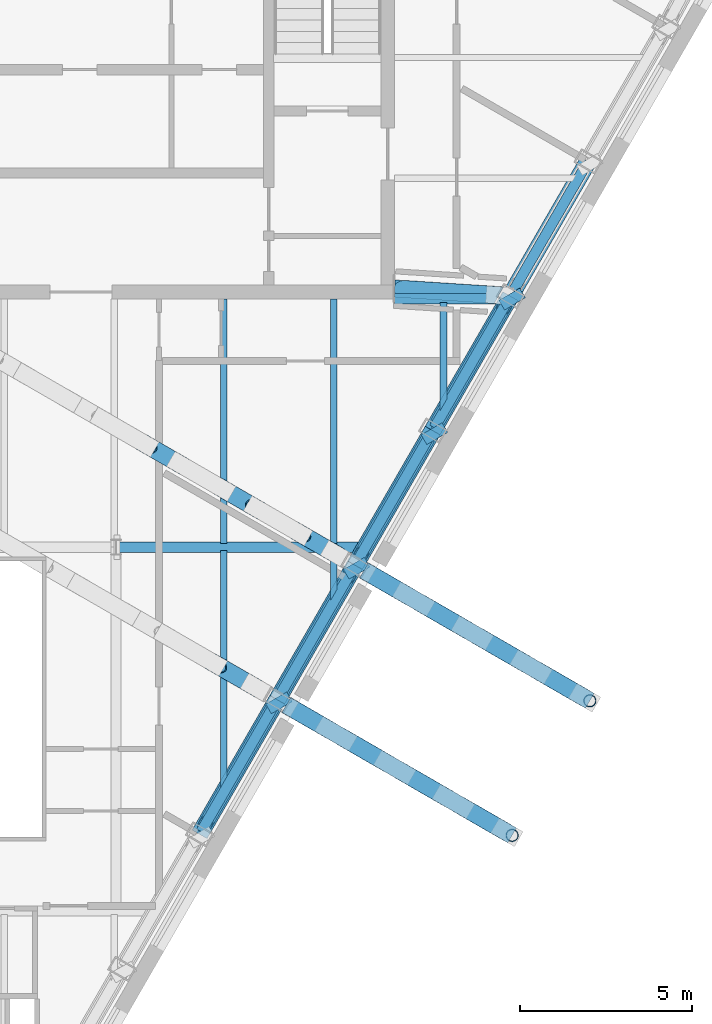
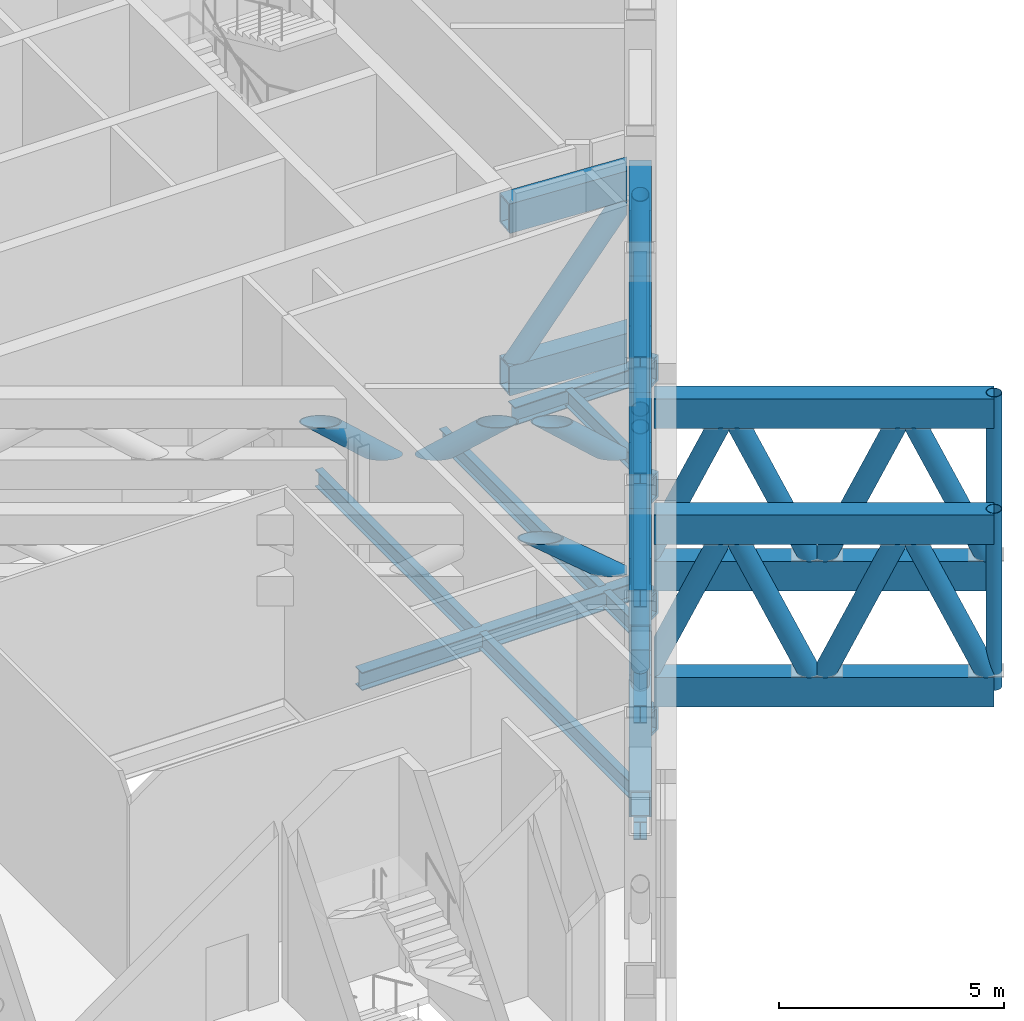
# One storey, part 4 of 14: 34 members, 16 beams.
"""IFC4 building model written with IfcOpenShell, lengths in metres."""

import ifcopenshell
import ifcopenshell.guid

model = None  # the IFC model being written
_history = None  # IfcOwnerHistory: only IFC2X3 demands one
_inside = {}  # id of a spatial element -> (the spatial element, [elements in it])
_under = {}  # id of a project, library or spatial element -> (it, [spatial elements below it])
_declared = {}  # id of a project -> (the project, [libraries it declares])
_typed = {}  # id of a type object -> (the type object, [elements of that type])
_made_of = {}  # id of a material, layer set ... -> (it, [elements and type objects made of it])


def new_model(schema):
    """Start an empty IFC model of exactly this schema.

    Asked for "IFC4X3", IfcOpenShell would pick the latest addendum, in which some entities
    have other attributes; the version numbers below select the first issue.
    IFC2X3 requires an IfcOwnerHistory on every rooted entity: one is made here for all.
    """
    global model, _history
    if schema == "IFC4X3":
        model = ifcopenshell.file(schema_version=(4, 3, 0, 0))
    else:
        model = ifcopenshell.file(schema=schema)
    _inside.clear()
    _under.clear()
    _declared.clear()
    _typed.clear()
    _made_of.clear()
    _history = None
    if model.schema == "IFC2X3":
        org = make("IfcOrganization", Name="unknown")
        user = make(
            "IfcPersonAndOrganization",
            ThePerson=make("IfcPerson", FamilyName="unknown"),
            TheOrganization=org,
        )
        app = make(
            "IfcApplication",
            ApplicationDeveloper=org,
            Version="unknown",
            ApplicationFullName="unknown",
            ApplicationIdentifier="unknown",
        )
        _history = make(
            "IfcOwnerHistory",
            OwningUser=user,
            OwningApplication=app,
            ChangeAction="ADDED",
            CreationDate=0,
        )
    return model


def make(cls, **values):
    """One entity of the class cls with the attributes given. An attribute that is None is left unset."""
    return model.create_entity(
        cls, **{name: value for name, value in values.items() if value is not None}
    )


def rooted(cls, **values):
    """An entity with a GlobalId (a new one), such as an element, a storey or a relation."""
    return make(cls, GlobalId=ifcopenshell.guid.new(), OwnerHistory=_history, **values)


def si_unit(unit_type, name, prefix=None):
    """IfcSIUnit, for example si_unit("LENGTHUNIT", "METRE", prefix="MILLI")."""
    return make("IfcSIUnit", UnitType=unit_type, Prefix=prefix, Name=name)


def assignment(units):
    """IfcUnitAssignment: the units of a project."""
    return None if units is None else make("IfcUnitAssignment", Units=units)


def point(xyz):
    """IfcCartesianPoint."""
    return None if xyz is None else make("IfcCartesianPoint", Coordinates=xyz)


def direction(xyz):
    """IfcDirection."""
    return None if xyz is None else make("IfcDirection", DirectionRatios=xyz)


def frame(location, z_axis=None, x_axis=None):
    """IfcAxis2Placement3D, a coordinate frame: its origin and axes. An axis left out is left unset."""
    return make(
        "IfcAxis2Placement3D",
        Location=point(location),
        Axis=direction(z_axis),
        RefDirection=direction(x_axis),
    )


def frame_2d(location, x_axis=None):
    """IfcAxis2Placement2D, a coordinate frame in the plane: its origin and x axis."""
    return make(
        "IfcAxis2Placement2D", Location=point(location), RefDirection=direction(x_axis)
    )


def origin():
    """The frame at (0, 0, 0) with its axes left unset."""
    return frame((0.0, 0.0, 0.0))


def origin_2d():
    """The frame at (0, 0) in the plane with its x axis left unset."""
    return frame_2d((0.0, 0.0))


def place(relative_to, where):
    """IfcLocalPlacement: puts the frame where relative to a parent placement (None: the world)."""
    return make(
        "IfcLocalPlacement", PlacementRelTo=relative_to, RelativePlacement=where
    )


def context(
    kind, dimensions, precision=None, world=None, true_north=None, identifier=None
):
    """IfcGeometricRepresentationContext, for example the 3D "Model" context."""
    return make(
        "IfcGeometricRepresentationContext",
        ContextIdentifier=identifier,
        ContextType=kind,
        CoordinateSpaceDimension=dimensions,
        Precision=precision,
        WorldCoordinateSystem=world,
        TrueNorth=true_north,
    )


def subcontext(parent, identifier, kind, view, scale=None):
    """IfcGeometricRepresentationSubContext, for example "Body" below "Model"."""
    return make(
        "IfcGeometricRepresentationSubContext",
        ContextIdentifier=identifier,
        ContextType=kind,
        ParentContext=parent,
        TargetScale=scale,
        TargetView=view,
    )


def project(units=None, contexts=None):
    """IfcProject with its units and contexts."""
    return rooted(
        "IfcProject",
        Name="project",
        RepresentationContexts=contexts,
        UnitsInContext=assignment(units),
    )


def spatial(cls, under=None, at=None, **own):
    """A site, building, storey or space (cls), placed at a placement, below another one or the project."""
    s = rooted(cls, ObjectPlacement=at, **own)
    if under is not None:
        _under.setdefault(under.id(), (under, []))[1].append(s)
    return s


def profile(cls, at=None, kind="AREA", **sizes):
    """A parametric profile (cls). Its sizes go by their IFC names, for example OverallWidth=200.0."""
    return make(cls, ProfileType=kind, Position=at, **sizes)


def hollow_rectangle(**sizes):
    """IfcRectangleHollowProfileDef."""
    return profile("IfcRectangleHollowProfileDef", **sizes)


def hollow_circle(**sizes):
    """IfcCircleHollowProfileDef."""
    return profile("IfcCircleHollowProfileDef", **sizes)


def i_section(**sizes):
    """IfcIShapeProfileDef."""
    return profile("IfcIShapeProfileDef", **sizes)


def extrude(swept, where, along, depth):
    """IfcExtrudedAreaSolid: the profile swept, set in the frame where, extruded along a direction by depth."""
    return make(
        "IfcExtrudedAreaSolid",
        SweptArea=swept,
        Position=where,
        ExtrudedDirection=direction(along),
        Depth=depth,
    )


def clip(a, b, op="DIFFERENCE"):
    """IfcBooleanClippingResult: the solid a cut by the half space b."""
    return make(
        "IfcBooleanClippingResult", Operator=op, FirstOperand=a, SecondOperand=b
    )


def halfspace(plane, agree):
    """IfcHalfSpaceSolid: all space on one side of the plane z = 0 of the frame plane."""
    return make(
        "IfcHalfSpaceSolid",
        BaseSurface=make("IfcPlane", Position=plane),
        AgreementFlag=agree,
    )


def shape(context_of_items, identifier, shape_type, items):
    """IfcShapeRepresentation: the items that make up one representation, for example the "Body"."""
    return make(
        "IfcShapeRepresentation",
        ContextOfItems=context_of_items,
        RepresentationIdentifier=identifier,
        RepresentationType=shape_type,
        Items=items,
    )


def material(Name=None, Category=None):
    """IfcMaterial."""
    return make("IfcMaterial", Name=Name, Category=Category)


def material_profile(
    of_material, cross_section, Name=None, Category=None, Priority=None
):
    """IfcMaterialProfile: a cross section and its material."""
    return make(
        "IfcMaterialProfile",
        Name=Name,
        Material=of_material,
        Profile=cross_section,
        Priority=Priority,
        Category=Category,
    )


def profile_set(profiles, Name=None, composite=None):
    """IfcMaterialProfileSet."""
    return make(
        "IfcMaterialProfileSet",
        Name=Name,
        MaterialProfiles=profiles,
        CompositeProfile=composite,
    )


def made_of(thing, what):
    """Note that an element or type object is made of a material, layer set ...; save() writes the relation."""
    if what is not None:
        _made_of.setdefault(what.id(), (what, []))[1].append(thing)
    return thing


def type_object(cls, material=None, **own):
    """A type object (cls), such as IfcWallType, which elements share."""
    return made_of(rooted(cls, **own), material)


def element(
    cls,
    number,
    at=None,
    inside=None,
    cuts=None,
    type_object=None,
    material=None,
    context=None,
    identifier="Body",
    shape_type=None,
    held_by="IfcProductDefinitionShape",
    body=None,
    shapes=None,
    **own,
):
    """One element of the class cls, such as IfcWall. Its Tag is "e" and its number.

    at: its placement. inside: the storey or other place that contains it. cuts: it is an
    opening in that element (IfcRelVoidsElement). A single representation is given by context,
    identifier, shape_type and body (its items); several are given by shapes. held_by: the class
    of the entity that holds the representations. save() writes the other relations.
    """
    e = rooted(cls, Tag="e%d" % number, ObjectPlacement=at, **own)
    if body is not None:
        shapes = [shape(context, identifier, shape_type, body)]
    if shapes is not None:
        e.Representation = make(held_by, Representations=shapes)
    if inside is not None:
        _inside.setdefault(inside.id(), (inside, []))[1].append(e)
    if cuts is not None:
        rooted(
            "IfcRelVoidsElement", RelatingBuildingElement=cuts, RelatedOpeningElement=e
        )
    if type_object is not None:
        _typed.setdefault(type_object.id(), (type_object, []))[1].append(e)
    return made_of(e, material)


def aggregate(whole, parts):
    """IfcRelAggregates: a whole, such as a stair, and the parts it consists of."""
    return rooted("IfcRelAggregates", RelatingObject=whole, RelatedObjects=parts)


def save(model, path):
    """Write the relations noted so far, then the file.

    IfcRelAggregates (storeys below a building ...), IfcRelContainedInSpatialStructure (elements
    in a storey), IfcRelDefinesByType, IfcRelAssociatesMaterial and IfcRelDeclares: one each for
    every whole, place, type object, material and project.
    """
    for whole, parts in _under.values():
        aggregate(whole, parts)
    for where, things in _inside.values():
        rooted(
            "IfcRelContainedInSpatialStructure",
            RelatedElements=things,
            RelatingStructure=where,
        )
    for kind, things in _typed.values():
        rooted("IfcRelDefinesByType", RelatedObjects=things, RelatingType=kind)
    for what, things in _made_of.values():
        rooted("IfcRelAssociatesMaterial", RelatedObjects=things, RelatingMaterial=what)
    for by, libraries in _declared.values():
        rooted("IfcRelDeclares", RelatingContext=by, RelatedDefinitions=libraries)
    model.write(path)


model = new_model("IFC4")

# Units and contexts
model_context = context("Model", 3, precision=1e-05, world=origin(), true_north=direction((0.0, 1.0)))
body_context = subcontext(model_context, "Body", "Model", "MODEL_VIEW")
ifc_project = project(units=[si_unit("LENGTHUNIT", "METRE"), si_unit("AREAUNIT", "SQUARE_METRE"), si_unit("VOLUMEUNIT", "CUBIC_METRE"), si_unit("PLANEANGLEUNIT", "RADIAN"), si_unit("MASSUNIT", "GRAM", prefix="KILO")], contexts=[model_context])

# Site, building, storey
site_placement = place(None, origin())
site = spatial("IfcSite", under=ifc_project, at=site_placement, CompositionType="ELEMENT")
building_placement = place(site_placement, origin())
building = spatial("IfcBuilding", under=site, at=building_placement, Name="Njiva Tower", CompositionType="ELEMENT")
storey_placement = place(building_placement, frame((0.0, 0.0, 292.2)))
storey = spatial("IfcBuildingStorey", under=building, at=storey_placement, Name="L67", CompositionType="ELEMENT", Elevation=292.2)

# Beams
ifc_material_1 = material(Name="Steel S355 J2", Category="steel")
ifc_material_profile_1 = material_profile(ifc_material_1, hollow_rectangle(XDim=0.7, YDim=0.7, WallThickness=0.08, at=origin_2d()), Name="BOX 700x700x80")
ifc_profile_set_1 = profile_set([ifc_material_profile_1], Name="Steel S355 J2")
beam_type_1 = type_object("IfcBeamType", Name="B19 Column jog beam BOX 700x700x80", PredefinedType="BEAM", material=ifc_profile_set_1)
beam_1_placement = place(storey_placement, frame((11.228, -7.856, -0.55), z_axis=(-0.496799306689, 0.867865455513, 0.0), x_axis=(-0.867865455513, -0.496799306689, 0.0)))
element("IfcBeam", 1, at=beam_1_placement, inside=storey, type_object=beam_type_1, Name="Column jog beam T5-B030", PredefinedType="BEAM", context=body_context, shape_type="SweptSolid", body=[
    extrude(hollow_rectangle(XDim=0.7, YDim=0.7, WallThickness=0.08, at=origin_2d()), origin(), (0.0, 0.0, 1.0), 0.3261),
])
beam_2_placement = place(storey_placement, frame((13.482, -3.952, -0.55), z_axis=(-0.498124460568, 0.867105542471, 0.0), x_axis=(-0.867105542471, -0.498124460568, 0.0)))
element("IfcBeam", 2, at=beam_2_placement, inside=storey, type_object=beam_type_1, Name="Column jog beam T5-B031", PredefinedType="BEAM", context=body_context, shape_type="SweptSolid", body=[
    extrude(hollow_rectangle(XDim=0.7, YDim=0.7, WallThickness=0.08, at=origin_2d()), origin(), (0.0, 0.0, 1.0), 0.3252),
])
beam_3_placement = place(storey_placement, frame((15.736, -0.048, -0.55), z_axis=(-0.501764157718, 0.865004468214, 0.0), x_axis=(-0.865004468214, -0.501764157718, 0.0)))
element("IfcBeam", 3, at=beam_3_placement, inside=storey, type_object=beam_type_1, Name="Column jog beam T5-B032", PredefinedType="BEAM", context=body_context, shape_type="SweptSolid", body=[
    extrude(hollow_rectangle(XDim=0.7, YDim=0.7, WallThickness=0.08, at=origin_2d()), origin(), (0.0, 0.0, 1.0), 0.3249),
])
beam_4_placement = place(storey_placement, frame((17.991, 3.856, -0.55), z_axis=(-0.511321392938, 0.859389570058, 0.0), x_axis=(-0.859389570058, -0.511321392938, 0.0)))
element("IfcBeam", 4, at=beam_4_placement, inside=storey, type_object=beam_type_1, Name="Column jog beam T5-B033", PredefinedType="BEAM", context=body_context, shape_type="SweptSolid", body=[
    extrude(hollow_rectangle(XDim=0.7, YDim=0.7, WallThickness=0.08, at=origin_2d()), origin(), (0.0, 0.0, 1.0), 0.3246),
])
ifc_material_profile_2 = material_profile(ifc_material_1, i_section(OverallWidth=0.3, OverallDepth=0.49, WebThickness=0.012, FlangeThickness=0.023, at=origin_2d()), Name="HEA 500")
ifc_profile_set_2 = profile_set([ifc_material_profile_2], Name="Steel S355 J2")
beam_type_2 = type_object("IfcBeamType", Name="B48 Short-span spandrel beam HEA 500", PredefinedType="SPANDREL", material=ifc_profile_set_2)
beam_5_placement = place(storey_placement, frame((8.891, -11.445, -0.445), z_axis=(0.49988405051, 0.866092336905, 0.0), x_axis=(-0.866092336905, 0.49988405051, 0.0)))
element("IfcBeam", 5, at=beam_5_placement, inside=storey, type_object=beam_type_2, Name="Short-span spandrel beam T5-B083", PredefinedType="SPANDREL", context=body_context, shape_type="SweptSolid", body=[
    extrude(i_section(OverallWidth=0.3, OverallDepth=0.49, WebThickness=0.012, FlangeThickness=0.023, at=origin_2d()), origin(), (0.0, 0.0, 1.0), 4.107),
])
for number, where, z_axis, x_axis, name in (
    (6, (11.144, -7.542, -0.445), (0.499961250474, 0.866047774678, 0.0), (-0.866047774678, 0.499961250474, 0.0), "Short-span spandrel beam T5-B085"),
    (7, (13.398, -3.638, -0.445), (0.499961250474, 0.866047774678, 0.0), (-0.866047774678, 0.499961250474, 0.0), "Short-span spandrel beam T5-B086"),
    (8, (15.652, 0.266, -0.445), (0.499961250474, 0.866047774678, 0.0), (-0.866047774678, 0.499961250474, 0.0), "Short-span spandrel beam T5-B088"),
):
    element("IfcBeam", number, at=place(storey_placement, frame(where, z_axis=z_axis, x_axis=x_axis)), inside=storey, type_object=beam_type_2, Name=name, PredefinedType="SPANDREL", context=body_context, shape_type="SweptSolid", body=[
        extrude(i_section(OverallWidth=0.3, OverallDepth=0.49, WebThickness=0.012, FlangeThickness=0.023, at=origin_2d()), origin(), (0.0, 0.0, 1.0), 4.1083),
    ])
beam_6_placement = place(storey_placement, frame((17.906, 4.17, -0.445), z_axis=(0.500066662559, 0.865986912717, 0.0), x_axis=(-0.865986912717, 0.500066662559, 0.0)))
element("IfcBeam", 9, at=beam_6_placement, inside=storey, type_object=beam_type_2, Name="Short-span spandrel beam T5-B089", PredefinedType="SPANDREL", context=body_context, shape_type="SweptSolid", body=[
    extrude(i_section(OverallWidth=0.3, OverallDepth=0.49, WebThickness=0.012, FlangeThickness=0.023, at=origin_2d()), origin(), (0.0, 0.0, 1.0), 4.1075),
])
ifc_material_profile_3 = material_profile(ifc_material_1, i_section(OverallWidth=0.3, OverallDepth=0.49, WebThickness=0.012, FlangeThickness=0.023, at=origin_2d()), Name="HEA 500")
ifc_profile_set_3 = profile_set([ifc_material_profile_3], Name="Steel S355 J2")
beam_type_3 = type_object("IfcBeamType", Name="B49 Floor girder HEA 500", PredefinedType="BEAM", material=ifc_profile_set_3)
beam_7_placement = place(storey_placement, frame((6.42, -3.2, -0.445), z_axis=(1.0, 0.0, 0.0), x_axis=(0.0, 1.0, 0.0)))
element("IfcBeam", 10, at=beam_7_placement, inside=storey, type_object=beam_type_3, Name="Floor girder T5-B011", PredefinedType="BEAM", context=body_context, shape_type="Clipping", body=[
    clip(extrude(i_section(OverallWidth=0.3, OverallDepth=0.49, WebThickness=0.012, FlangeThickness=0.023, at=origin_2d()), origin(), (0.0, 0.0, 1.0), 7.223), halfspace(frame((-0.025, 0.0, 7.1013), z_axis=(-0.499998009787, 0.0, 0.866026552831), x_axis=(0.0, 1.0, 0.0)), False)),
])
ifc_material_profile_4 = material_profile(ifc_material_1, i_section(OverallWidth=0.3, OverallDepth=0.49, WebThickness=0.012, FlangeThickness=0.023, at=origin_2d()), Name="HEA 500")
ifc_profile_set_4 = profile_set([ifc_material_profile_4], Name="Steel S355 J2")
beam_type_4 = type_object("IfcBeamType", Name="B50 Short-span floor girder HEA 500", PredefinedType="BEAM", material=ifc_profile_set_4)
beam_8_placement = place(storey_placement, frame((14.5, 4.0, -0.445), z_axis=(1.0, 0.0, 0.0), x_axis=(0.0, 1.0, 0.0)))
element("IfcBeam", 11, at=beam_8_placement, inside=storey, type_object=beam_type_4, Name="Short-span floor girder T5-B012", PredefinedType="BEAM", context=body_context, shape_type="Clipping", body=[
    clip(extrude(i_section(OverallWidth=0.3, OverallDepth=0.49, WebThickness=0.012, FlangeThickness=0.023, at=origin_2d()), origin(), (0.0, 0.0, 1.0), 3.274), halfspace(frame((-0.025, 0.0, 3.1523), z_axis=(-0.499998009787, 0.0, 0.866026552831), x_axis=(0.0, 1.0, 0.0)), False)),
])
ifc_material_profile_5 = material_profile(ifc_material_1, i_section(OverallWidth=0.19, OverallDepth=0.45, WebThickness=0.0094, FlangeThickness=0.0146, at=origin_2d()), Name="IPE 450")
ifc_profile_set_5 = profile_set([ifc_material_profile_5], Name="Steel S355 J2")
beam_type_5 = type_object("IfcBeamType", Name="B52 Short-span floor joist IPE 450", PredefinedType="JOIST", material=ifc_profile_set_5)
beam_9_placement = place(storey_placement, frame((12.733, -3.3, -0.425), z_axis=(0.0, -1.0, 0.0), x_axis=(1.0, 0.0, 0.0)))
element("IfcBeam", 12, at=beam_9_placement, inside=storey, type_object=beam_type_5, Name="Short-span floor joist T5-B054", PredefinedType="JOIST", context=body_context, shape_type="Clipping", body=[
    clip(extrude(i_section(OverallWidth=0.19, OverallDepth=0.45, WebThickness=0.0094, FlangeThickness=0.0146, at=origin_2d()), origin(), (0.0, 0.0, 1.0), 1.475), halfspace(frame((0.0436, 0.0, 1.2149), z_axis=(0.866026552831, 0.0, 0.499998009787), x_axis=(0.0, 1.0, 0.0)), False)),
])
beam_10_placement = place(storey_placement, frame((15.917, 3.9, -0.425), z_axis=(0.0, -1.0, 0.0), x_axis=(1.0, 0.0, 0.0)))
element("IfcBeam", 13, at=beam_10_placement, inside=storey, type_object=beam_type_5, Name="Short-span floor joist T5-B056", PredefinedType="JOIST", context=body_context, shape_type="Clipping", body=[
    clip(extrude(i_section(OverallWidth=0.19, OverallDepth=0.45, WebThickness=0.0094, FlangeThickness=0.0146, at=origin_2d()), origin(), (0.0, 0.0, 1.0), 3.161), halfspace(frame((0.043, 0.0, 2.9012), z_axis=(0.866026552831, 0.0, 0.499998009787), x_axis=(0.0, 1.0, 0.0)), False)),
])
ifc_material_profile_6 = material_profile(ifc_material_1, i_section(OverallWidth=0.19, OverallDepth=0.45, WebThickness=0.0094, FlangeThickness=0.0146, at=origin_2d()), Name="IPE 450")
ifc_profile_set_6 = profile_set([ifc_material_profile_6], Name="Steel S355 J2")
beam_type_6 = type_object("IfcBeamType", Name="B53 Floor joist IPE 450", PredefinedType="JOIST", material=ifc_profile_set_6)
beam_11_placement = place(storey_placement, frame((9.55, 3.995, -0.425), z_axis=(0.0, -1.0, 0.0), x_axis=(1.0, 0.0, 0.0)))
element("IfcBeam", 14, at=beam_11_placement, inside=storey, type_object=beam_type_6, Name="Floor joist T5-B053", PredefinedType="JOIST", context=body_context, shape_type="SweptSolid", body=[
    extrude(i_section(OverallWidth=0.19, OverallDepth=0.45, WebThickness=0.0094, FlangeThickness=0.0146, at=origin_2d()), origin(), (0.0, 0.0, 1.0), 7.095),
])
beam_12_placement = place(storey_placement, frame((9.55, -3.3, -0.425), z_axis=(0.0, -1.0, 0.0), x_axis=(1.0, 0.0, 0.0)))
element("IfcBeam", 15, at=beam_12_placement, inside=storey, type_object=beam_type_6, Name="Floor joist T5-B052", PredefinedType="JOIST", context=body_context, shape_type="Clipping", body=[
    clip(extrude(i_section(OverallWidth=0.19, OverallDepth=0.45, WebThickness=0.0094, FlangeThickness=0.0146, at=origin_2d()), origin(), (0.0, 0.0, 1.0), 6.989), halfspace(frame((0.0433, 0.0, 6.7286), z_axis=(0.866026552831, 0.0, 0.499998009787), x_axis=(0.0, 1.0, 0.0)), False)),
])
beam_13_placement = place(storey_placement, frame((12.733, 3.995, -0.425), z_axis=(0.0, -1.0, 0.0), x_axis=(1.0, 0.0, 0.0)))
element("IfcBeam", 16, at=beam_13_placement, inside=storey, type_object=beam_type_6, Name="Floor joist T5-B055", PredefinedType="JOIST", context=body_context, shape_type="SweptSolid", body=[
    extrude(i_section(OverallWidth=0.19, OverallDepth=0.45, WebThickness=0.0094, FlangeThickness=0.0146, at=origin_2d()), origin(), (0.0, 0.0, 1.0), 7.095),
])

# Members
ifc_material_profile_7 = material_profile(ifc_material_1, hollow_rectangle(XDim=0.5, YDim=0.8, WallThickness=0.05, at=origin_2d()), Name="BOX 800x500x50")
ifc_profile_set_7 = profile_set([ifc_material_profile_7], Name="Steel S355 J2")
member_type_1 = type_object("IfcMemberType", Name="OR1 Outrigger truss chord BOX 800x500x50", PredefinedType="CHORD", material=ifc_profile_set_7)
for number, where, z_axis, x_axis, name in (
    (17, (14.5, 4.3, 0.4), (0.997916054553, -0.064525561334, 0.0), (0.064525561334, 0.997916054553, 0.0), "Outrigger truss chord T5-TR103"),
    (18, (14.5, 4.3, 4.81), (0.997916054553, -0.064525561334, 0.0), (0.064525561334, 0.997916054553, 0.0), "Outrigger truss chord T5-TR104"),
):
    element("IfcMember", number, at=place(storey_placement, frame(where, z_axis=z_axis, x_axis=x_axis)), inside=storey, type_object=member_type_1, Name=name, PredefinedType="CHORD", context=body_context, shape_type="Clipping", body=[
        clip(extrude(hollow_rectangle(XDim=0.5, YDim=0.8, WallThickness=0.05, at=origin_2d()), origin(), (0.0, 0.0, 1.0), 3.517), halfspace(frame((-0.0221, 0.0, 3.0174), z_axis=(-0.443075191759, 0.0, 0.896484452987), x_axis=(0.0, 1.0, 0.0)), False)),
    ])
ifc_material_2 = material(Name="Steel S355 J2H", Category="steel")
ifc_material_profile_8 = material_profile(ifc_material_2, hollow_circle(Radius=0.254, WallThickness=0.016, at=origin_2d()), Name="CHS 508x16")
ifc_profile_set_8 = profile_set([ifc_material_profile_8], Name="Steel S355 J2H")
member_type_2 = type_object("IfcMemberType", Name="OR2 Outrigger truss diagonal CHS 508x16", PredefinedType="BRACE", material=ifc_profile_set_8)
member_1_placement = place(storey_placement, frame((14.2791, 4.3143, 0.1098), z_axis=(0.605122686621, -0.03912742044, 0.795170157329), x_axis=(0.064525561334, 0.997916054553, 0.0)))
element("IfcMember", 19, at=member_1_placement, inside=storey, type_object=member_type_2, Name="Outrigger truss diagonal T5-TR105", PredefinedType="BRACE", context=body_context, shape_type="Clipping", body=[
    clip(clip(clip(clip(extrude(hollow_circle(Radius=0.254, WallThickness=0.016, at=origin_2d()), origin(), (0.0, 0.0, 1.0), 6.335), halfspace(frame((-5.2267, 11.5218, -7.9309), z_axis=(0.0, -0.60638636272, -0.795170157329), x_axis=(0.0, -0.795170157329, 0.60638636272)), False)), halfspace(frame((0.0, -177.4286, -232.3018), z_axis=(-0.064525561334, 0.7935130661, -0.605122686621), x_axis=(0.0, -0.60638636272, -0.795170157329)), False)), halfspace(frame((-5.2267, 13.723, -5.0444), z_axis=(0.0, 0.60638636272, 0.795170157329), x_axis=(0.0, 0.795170157329, -0.60638636272)), False)), halfspace(frame((-0.0221, 0.2748, 5.7014), z_axis=(-0.443075191759, -0.712857683525, 0.543615946682), x_axis=(0.0, 0.60638636272, 0.795170157329)), False)),
])
ifc_material_profile_9 = material_profile(ifc_material_1, hollow_rectangle(XDim=0.5, YDim=0.7, WallThickness=0.04, at=origin_2d()), Name="BOX 700x500x40")
ifc_profile_set_9 = profile_set([ifc_material_profile_9], Name="Steel S355 J2")
member_type_3 = type_object("IfcMemberType", Name="TC2 Belt truss chord BOX 700x500x40", PredefinedType="CHORD", material=ifc_profile_set_9)
for number, where, z_axis, x_axis, name in (
    (20, (8.843, -11.528, 0.35), (0.499933745558, 0.866063652425, 0.0), (-0.866063652425, 0.499933745558, 0.0), "Belt truss chord T5-TR076"),
    (21, (8.843, -11.528, 4.86), (0.499933745558, 0.866063652425, 0.0), (-0.866063652425, 0.499933745558, 0.0), "Belt truss chord T5-TR077"),
):
    element("IfcMember", number, at=place(storey_placement, frame(where, z_axis=z_axis, x_axis=x_axis)), inside=storey, type_object=member_type_3, Name=name, PredefinedType="CHORD", context=body_context, shape_type="SweptSolid", body=[
        extrude(hollow_rectangle(XDim=0.5, YDim=0.7, WallThickness=0.04, at=origin_2d()), origin(), (0.0, 0.0, 1.0), 4.5066),
    ])
for number, where, z_axis, x_axis, name in (
    (22, (11.096, -7.625, 0.35), (0.50010015525, 0.865967571402, 0.0), (-0.865967571402, 0.50010015525, 0.0), "Belt truss chord T5-TR079"),
    (23, (11.096, -7.625, 4.86), (0.50010015525, 0.865967571402, 0.0), (-0.865967571402, 0.50010015525, 0.0), "Belt truss chord T5-TR080"),
):
    element("IfcMember", number, at=place(storey_placement, frame(where, z_axis=z_axis, x_axis=x_axis)), inside=storey, type_object=member_type_3, Name=name, PredefinedType="CHORD", context=body_context, shape_type="SweptSolid", body=[
        extrude(hollow_rectangle(XDim=0.5, YDim=0.7, WallThickness=0.04, at=origin_2d()), origin(), (0.0, 0.0, 1.0), 4.5071),
    ])
for number, where, z_axis, x_axis, name in (
    (24, (13.35, -3.722, 0.35), (0.499933745558, 0.866063652425, 0.0), (-0.866063652425, 0.499933745558, 0.0), "Belt truss chord T5-TR082"),
    (25, (13.35, -3.722, 4.86), (0.499933745558, 0.866063652425, 0.0), (-0.866063652425, 0.499933745558, 0.0), "Belt truss chord T5-TR083"),
):
    element("IfcMember", number, at=place(storey_placement, frame(where, z_axis=z_axis, x_axis=x_axis)), inside=storey, type_object=member_type_3, Name=name, PredefinedType="CHORD", context=body_context, shape_type="SweptSolid", body=[
        extrude(hollow_rectangle(XDim=0.5, YDim=0.7, WallThickness=0.04, at=origin_2d()), origin(), (0.0, 0.0, 1.0), 4.5066),
    ])
for number, where, z_axis, x_axis, name in (
    (26, (15.603, 0.181, 0.35), (0.50002983664, 0.866008176907, 0.0), (-0.866008176907, 0.50002983664, 0.0), "Belt truss chord T5-TR085"),
    (27, (15.603, 0.181, 4.86), (0.50002983664, 0.866008176907, 0.0), (-0.866008176907, 0.50002983664, 0.0), "Belt truss chord T5-TR086"),
):
    element("IfcMember", number, at=place(storey_placement, frame(where, z_axis=z_axis, x_axis=x_axis)), inside=storey, type_object=member_type_3, Name=name, PredefinedType="CHORD", context=body_context, shape_type="SweptSolid", body=[
        extrude(hollow_rectangle(XDim=0.5, YDim=0.7, WallThickness=0.04, at=origin_2d()), origin(), (0.0, 0.0, 1.0), 4.5057),
    ])
member_2_placement = place(storey_placement, frame((17.856, 4.083, 0.35), z_axis=(0.50010015525, 0.865967571402, 0.0), x_axis=(-0.865967571402, 0.50010015525, 0.0)))
element("IfcMember", 28, at=member_2_placement, inside=storey, type_object=member_type_3, Name="Belt truss chord T5-TR088", PredefinedType="CHORD", context=body_context, shape_type="SweptSolid", body=[
    extrude(hollow_rectangle(XDim=0.5, YDim=0.7, WallThickness=0.04, at=origin_2d()), origin(), (0.0, 0.0, 1.0), 4.5071),
])
ifc_material_profile_10 = material_profile(ifc_material_1, hollow_rectangle(XDim=0.5, YDim=0.8, WallThickness=0.05, at=origin_2d()), Name="BOX 800x500x50")
ifc_profile_set_10 = profile_set([ifc_material_profile_10], Name="Steel S355 J2")
member_type_4 = type_object("IfcMemberType", Name="TC3 Pool cantilever truss chord BOX 800x500x50", PredefinedType="CHORD", material=ifc_profile_set_10)
for number, where, z_axis, x_axis, name in (
    (29, (11.07, -7.61, 0.4), (0.866020451134, -0.500008578143, 0.0), (0.500008578143, 0.866020451134, 0.0), "Pool cantilever truss chord T5-TR106"),
    (30, (11.07, -7.61, 4.81), (0.866020451134, -0.500008578143, 0.0), (0.500008578143, 0.866020451134, 0.0), "Pool cantilever truss chord T5-TR107"),
    (31, (13.324, -3.707, 0.4), (0.866020451134, -0.500008578143, 0.0), (0.500008578143, 0.866020451134, 0.0), "Pool cantilever truss chord T5-TR123"),
    (32, (13.324, -3.707, 4.81), (0.866020451134, -0.500008578143, 0.0), (0.500008578143, 0.866020451134, 0.0), "Pool cantilever truss chord T5-TR124"),
):
    element("IfcMember", number, at=place(storey_placement, frame(where, z_axis=z_axis, x_axis=x_axis)), inside=storey, type_object=member_type_4, Name=name, PredefinedType="CHORD", context=body_context, shape_type="Clipping", body=[
        clip(extrude(hollow_rectangle(XDim=0.5, YDim=0.8, WallThickness=0.05, at=origin_2d()), origin(), (0.0, 0.0, 1.0), 7.8959), halfspace(frame((0.0, 0.0, 0.33), z_axis=(-1.2203314e-05, 0.0, -0.999999999926), x_axis=(0.0, -1.0, 0.0)), False)),
    ])
ifc_material_profile_11 = material_profile(ifc_material_2, hollow_circle(Radius=0.2032, WallThickness=0.016, at=origin_2d()), Name="CHS 406.4x16")
ifc_profile_set_11 = profile_set([ifc_material_profile_11], Name="Steel S355 J2H")
member_type_5 = type_object("IfcMemberType", Name="TD2 Belt truss diagonal CHS 406.4x16", PredefinedType="BRACE", material=ifc_profile_set_11)
member_3_placement = place(storey_placement, frame((8.76, -11.6719, 5.0262), z_axis=(0.353373104189, 0.612168320306, -0.707373590721), x_axis=(-0.866063652425, 0.499933745558, 0.0)))
element("IfcMember", 33, at=member_3_placement, inside=storey, type_object=member_type_5, Name="Belt truss diagonal T5-TR078", PredefinedType="BRACE", context=body_context, shape_type="Clipping", body=[
    clip(clip(extrude(hollow_circle(Radius=0.2032, WallThickness=0.016, at=origin_2d()), origin(), (0.0, 0.0, 1.0), 6.8457), halfspace(frame((13.4218, 3.6948, 4.4077), z_axis=(0.0, 0.70683987094, -0.707373590721), x_axis=(0.0, -0.707373590721, -0.70683987094)), False)), halfspace(frame((13.4218, 0.9876, 7.1169), z_axis=(0.0, -0.70683987094, 0.707373590721), x_axis=(0.0, 0.707373590721, 0.70683987094)), False)),
])
member_4_placement = place(storey_placement, frame((11.0129, -7.7689, 0.1838), z_axis=(0.353510352654, 0.612134386162, 0.707334379091), x_axis=(-0.865967571402, 0.50010015525, 0.0)))
element("IfcMember", 34, at=member_4_placement, inside=storey, type_object=member_type_5, Name="Belt truss diagonal T5-TR081", PredefinedType="BRACE", context=body_context, shape_type="Clipping", body=[
    clip(clip(extrude(hollow_circle(Radius=0.2032, WallThickness=0.016, at=origin_2d()), origin(), (0.0, 0.0, 1.0), 6.8461), halfspace(frame((13.422, -0.5051, 1.2205), z_axis=(0.0, -0.706879110001, -0.707334379091), x_axis=(0.0, -0.707334379091, 0.706879110001)), False)), halfspace(frame((13.422, 2.2022, 3.9296), z_axis=(0.0, 0.706879110001, 0.707334379091), x_axis=(0.0, 0.707334379091, -0.706879110001)), False)),
])
member_5_placement = place(storey_placement, frame((13.267, -3.8659, 5.0262), z_axis=(0.353373104189, 0.612168320306, -0.707373590721), x_axis=(-0.866063652425, 0.499933745558, 0.0)))
element("IfcMember", 35, at=member_5_placement, inside=storey, type_object=member_type_5, Name="Belt truss diagonal T5-TR084", PredefinedType="BRACE", context=body_context, shape_type="Clipping", body=[
    clip(clip(extrude(hollow_circle(Radius=0.2032, WallThickness=0.016, at=origin_2d()), origin(), (0.0, 0.0, 1.0), 6.8457), halfspace(frame((13.4227, -2.6812, -1.9635), z_axis=(0.0, 0.70683987094, -0.707373590721), x_axis=(0.0, -0.707373590721, -0.70683987094)), False)), halfspace(frame((13.4227, -5.3884, 0.7457), z_axis=(0.0, -0.70683987094, 0.707373590721), x_axis=(0.0, 0.707373590721, 0.70683987094)), False)),
])
member_6_placement = place(storey_placement, frame((15.5199, 0.0372, 0.1838), z_axis=(0.353407034165, 0.612070238487, 0.707441510912), x_axis=(-0.866008176907, 0.50002983664, 0.0)))
element("IfcMember", 36, at=member_6_placement, inside=storey, type_object=member_type_5, Name="Belt truss diagonal T5-TR087", PredefinedType="BRACE", context=body_context, shape_type="Clipping", body=[
    clip(clip(extrude(hollow_circle(Radius=0.2032, WallThickness=0.016, at=origin_2d()), origin(), (0.0, 0.0, 1.0), 6.8451), halfspace(frame((13.4218, 5.8706, -5.1495), z_axis=(0.0, -0.706771892932, -0.707441510912), x_axis=(0.0, -0.707441510912, 0.706771892932)), False)), halfspace(frame((13.4218, 8.5776, -2.44), z_axis=(0.0, 0.706771892932, 0.707441510912), x_axis=(0.0, 0.707441510912, -0.706771892932)), False)),
])
ifc_material_profile_12 = material_profile(ifc_material_2, hollow_circle(Radius=0.254, WallThickness=0.016, at=origin_2d()), Name="CHS 508x16")
ifc_profile_set_12 = profile_set([ifc_material_profile_12], Name="Steel S355 J2H")
member_type_6 = type_object("IfcMemberType", Name="TD3 Pool cantilever truss diagonal CHS 508x16", PredefinedType="BRACE", material=ifc_profile_set_12)
member_7_placement = place(storey_placement, frame((10.8837, -7.5024, -0.1498), z_axis=(0.352696120118, -0.203582082253, 0.913323481927), x_axis=(0.499913221443, 0.866075499611, 0.0)))
element("IfcMember", 37, at=member_7_placement, inside=storey, type_object=member_type_6, Name="Pool cantilever truss diagonal T5-TR108", PredefinedType="BRACE", context=body_context, shape_type="Clipping", body=[
    clip(clip(clip(extrude(hollow_circle(Radius=0.254, WallThickness=0.016, at=origin_2d()), origin(), (0.0, 0.0, 1.0), 5.5745), halfspace(frame((1.0568, 12.4173, -4.5076), z_axis=(0.0, -0.407234843009, -0.913323481927), x_axis=(0.0, -0.913323481927, 0.407234843009)), False)), halfspace(frame((0.0, -0.274, 0.7242), z_axis=(9.7902249e-05, 0.91332347755, -0.407234841058), x_axis=(0.0, -0.407234843009, -0.913323481927)), False)), halfspace(frame((1.0568, 13.8955, -1.1923), z_axis=(0.0, 0.407234843009, 0.913323481927), x_axis=(0.0, 0.913323481927, -0.407234843009)), False)),
])
member_8_placement = place(storey_placement, frame((12.7482, -8.5787, 4.9415), z_axis=(0.352681242972, -0.20378058901, -0.913284956844), x_axis=(0.500294539151, 0.86585528473, 0.0)))
element("IfcMember", 38, at=member_8_placement, inside=storey, type_object=member_type_6, Name="Pool cantilever truss diagonal T5-TR109", PredefinedType="BRACE", context=body_context, shape_type="Clipping", body=[
    clip(clip(extrude(hollow_circle(Radius=0.254, WallThickness=0.016, at=origin_2d()), origin(), (0.0, 0.0, 1.0), 5.1167), halfspace(frame((1.05, -14.213, -5.7679), z_axis=(0.0, 0.407321233919, -0.913284956844), x_axis=(0.0, -0.913284956844, -0.407321233919)), False)), halfspace(frame((1.05, -15.6916, -2.4527), z_axis=(0.0, -0.407321233919, 0.913284956844), x_axis=(0.0, 0.913284956844, 0.407321233919)), False)),
])
member_9_placement = place(storey_placement, frame((14.4512, -9.5627, 0.2685), z_axis=(0.352696120118, -0.203582082253, 0.913323481927), x_axis=(0.499913221443, 0.866075499611, 0.0)))
element("IfcMember", 39, at=member_9_placement, inside=storey, type_object=member_type_6, Name="Pool cantilever truss diagonal T5-TR110", PredefinedType="BRACE", context=body_context, shape_type="Clipping", body=[
    clip(clip(extrude(hollow_circle(Radius=0.254, WallThickness=0.016, at=origin_2d()), origin(), (0.0, 0.0, 1.0), 5.1165), halfspace(frame((1.0577, 16.0095, -6.5674), z_axis=(0.0, -0.407234843009, -0.913323481927), x_axis=(0.0, -0.913323481927, 0.407234843009)), False)), halfspace(frame((1.0577, 17.4878, -3.252), z_axis=(0.0, 0.407234843009, 0.913323481927), x_axis=(0.0, 0.913323481927, -0.407234843009)), False)),
])
member_10_placement = place(storey_placement, frame((16.1542, -10.5457, 4.9415), z_axis=(0.352696120118, -0.203582082253, -0.913323481927), x_axis=(0.499913221443, 0.866075499611, 0.0)))
element("IfcMember", 40, at=member_10_placement, inside=storey, type_object=member_type_6, Name="Pool cantilever truss diagonal T5-TR111", PredefinedType="BRACE", context=body_context, shape_type="Clipping", body=[
    clip(clip(extrude(hollow_circle(Radius=0.254, WallThickness=0.016, at=origin_2d()), origin(), (0.0, 0.0, 1.0), 5.1165), halfspace(frame((1.0577, -17.8055, -7.3681), z_axis=(0.0, 0.407234843009, -0.913323481927), x_axis=(0.0, -0.913323481927, -0.407234843009)), False)), halfspace(frame((1.0577, -19.2837, -4.0528), z_axis=(0.0, -0.407234843009, 0.913323481927), x_axis=(0.0, 0.913323481927, 0.407234843009)), False)),
])
member_11_placement = place(storey_placement, frame((13.1377, -3.5993, -0.1498), z_axis=(0.352681242972, -0.20378058901, 0.913284956844), x_axis=(0.500294539151, 0.86585528473, 0.0)))
element("IfcMember", 41, at=member_11_placement, inside=storey, type_object=member_type_6, Name="Pool cantilever truss diagonal T5-TR125", PredefinedType="BRACE", context=body_context, shape_type="Clipping", body=[
    clip(clip(clip(extrude(hollow_circle(Radius=0.254, WallThickness=0.016, at=origin_2d()), origin(), (0.0, 0.0, 1.0), 5.5747), halfspace(frame((-3.4562, 12.4163, -4.5086), z_axis=(0.0, -0.407321233919, -0.913284956844), x_axis=(0.0, -0.913284956844, 0.407321233919)), False)), halfspace(frame((0.0001, -0.274, 0.7242), z_axis=(-0.000342436013, 0.913284903297, -0.407321210038), x_axis=(0.0, -0.407321233919, -0.913284956844)), False)), halfspace(frame((-3.4562, 13.8949, -1.1934), z_axis=(0.0, 0.407321233919, 0.913284956844), x_axis=(0.0, 0.913284956844, -0.407321233919)), False)),
])
member_12_placement = place(storey_placement, frame((15.0022, -4.6767, 4.9415), z_axis=(0.352696120118, -0.203582082253, -0.913323481927), x_axis=(0.499913221443, 0.866075499611, 0.0)))
element("IfcMember", 42, at=member_12_placement, inside=storey, type_object=member_type_6, Name="Pool cantilever truss diagonal T5-TR126", PredefinedType="BRACE", context=body_context, shape_type="Clipping", body=[
    clip(clip(extrude(hollow_circle(Radius=0.254, WallThickness=0.016, at=origin_2d()), origin(), (0.0, 0.0, 1.0), 5.1165), halfspace(frame((-3.4494, -14.2145, -5.767), z_axis=(0.0, 0.407234843009, -0.913323481927), x_axis=(0.0, -0.913323481927, -0.407234843009)), False)), halfspace(frame((-3.4494, -15.6928, -2.4516), z_axis=(0.0, -0.407234843009, 0.913323481927), x_axis=(0.0, 0.913323481927, 0.407234843009)), False)),
])
member_13_placement = place(storey_placement, frame((16.7052, -5.6597, 0.2685), z_axis=(0.352696120118, -0.203582082253, 0.913323481927), x_axis=(0.499913221443, 0.866075499611, 0.0)))
element("IfcMember", 43, at=member_13_placement, inside=storey, type_object=member_type_6, Name="Pool cantilever truss diagonal T5-TR127", PredefinedType="BRACE", context=body_context, shape_type="Clipping", body=[
    clip(clip(extrude(hollow_circle(Radius=0.254, WallThickness=0.016, at=origin_2d()), origin(), (0.0, 0.0, 1.0), 5.1165), halfspace(frame((-3.4494, 16.0104, -6.5678), z_axis=(0.0, -0.407234843009, -0.913323481927), x_axis=(0.0, -0.913323481927, 0.407234843009)), False)), halfspace(frame((-3.4494, 17.4887, -3.2524), z_axis=(0.0, 0.407234843009, 0.913323481927), x_axis=(0.0, 0.913323481927, -0.407234843009)), False)),
])
member_14_placement = place(storey_placement, frame((18.4082, -6.6427, 4.9415), z_axis=(0.352696120118, -0.203582082253, -0.913323481927), x_axis=(0.499913221443, 0.866075499611, 0.0)))
element("IfcMember", 44, at=member_14_placement, inside=storey, type_object=member_type_6, Name="Pool cantilever truss diagonal T5-TR128", PredefinedType="BRACE", context=body_context, shape_type="Clipping", body=[
    clip(clip(extrude(hollow_circle(Radius=0.254, WallThickness=0.016, at=origin_2d()), origin(), (0.0, 0.0, 1.0), 5.1165), halfspace(frame((-3.4494, -17.8063, -7.3685), z_axis=(0.0, 0.407234843009, -0.913323481927), x_axis=(0.0, -0.913323481927, -0.407234843009)), False)), halfspace(frame((-3.4494, -19.2846, -4.0532), z_axis=(0.0, -0.407234843009, 0.913323481927), x_axis=(0.0, 0.913323481927, 0.407234843009)), False)),
])
ifc_material_profile_13 = material_profile(ifc_material_2, hollow_circle(Radius=0.254, WallThickness=0.016, at=origin_2d()), Name="CHS 508x16")
ifc_profile_set_13 = profile_set([ifc_material_profile_13], Name="Steel S355 J2H")
member_type_7 = type_object("IfcMemberType", Name="TD5 Pool long back-span truss diagonal CHS 508x16", PredefinedType="BRACE", material=ifc_profile_set_13)
member_15_placement = place(storey_placement, frame((11.454, -7.8316, 2.9139), z_axis=(-0.75202717032, 0.434126133681, 0.495973421824), x_axis=(-0.499950805595, -0.866053804324, 0.0)))
element("IfcMember", 45, at=member_15_placement, inside=storey, type_object=member_type_7, Name="Pool long back-span truss diagonal T5-TR114", PredefinedType="BRACE", context=body_context, shape_type="Clipping", body=[
    clip(clip(clip(extrude(hollow_circle(Radius=0.254, WallThickness=0.016, at=origin_2d()), origin(), (0.0, 0.0, 1.0), 4.299), halfspace(frame((-1.0562, -6.3182, 12.3241), z_axis=(0.0, -0.868337702075, -0.495973421824), x_axis=(0.0, -0.495973421824, 0.868337702075)), False)), halfspace(frame((0.0, -0.1488, 0.7365), z_axis=(5.4505776e-05, 0.495973421087, -0.868337700785), x_axis=(0.0, -0.868337702075, -0.495973421824)), False)), halfspace(frame((-1.0562, -5.5541, 12.7606), z_axis=(0.0, 0.868337702075, 0.495973421824), x_axis=(0.0, 0.495973421824, -0.868337702075)), False)),
])
member_16_placement = place(storey_placement, frame((13.6594, -3.9005, 2.9197), z_axis=(-0.727931906435, 0.420111373804, 0.541868594028), x_axis=(-0.49985693963, -0.866107983974, 0.0)))
element("IfcMember", 46, at=member_16_placement, inside=storey, type_object=member_type_7, Name="Pool long back-span truss diagonal T5-TR131", PredefinedType="BRACE", context=body_context, shape_type="Clipping", body=[
    clip(clip(clip(extrude(hollow_circle(Radius=0.254, WallThickness=0.016, at=origin_2d()), origin(), (0.0, 0.0, 1.0), 3.9135), halfspace(frame((3.4494, -6.9457, 11.9179), z_axis=(0.0, -0.840463221567, -0.541868594028), x_axis=(0.0, -0.541868594028, 0.840463221567)), False)), halfspace(frame((-0.0001, -0.1626, 0.6771), z_axis=(0.000162885911, 0.54186858684, -0.840463210417), x_axis=(0.0, -0.840463221567, -0.541868594028)), False)), halfspace(frame((3.4494, -6.2061, 12.3947), z_axis=(0.0, 0.840463221567, 0.541868594028), x_axis=(0.0, 0.541868594028, -0.840463221567)), False)),
])
member_17_placement = place(storey_placement, frame((11.4293, -2.6136, 5.0403), z_axis=(-0.727778393515, 0.420211212406, -0.541997367983), x_axis=(-0.500025132165, -0.866010893236, 0.0)))
element("IfcMember", 47, at=member_17_placement, inside=storey, type_object=member_type_7, Name="Pool long back-span truss diagonal T5-TR132", PredefinedType="BRACE", context=body_context, shape_type="Clipping", body=[
    clip(clip(extrude(hollow_circle(Radius=0.254, WallThickness=0.016, at=origin_2d()), origin(), (0.0, 0.0, 1.0), 3.9127), halfspace(frame((3.4515, 5.5516, 9.7525), z_axis=(0.0, 0.840380183666, -0.541997367983), x_axis=(0.0, -0.541997367983, -0.840380183666)), False)), halfspace(frame((3.4515, 4.8121, 10.2294), z_axis=(0.0, -0.840380183666, 0.541997367983), x_axis=(0.0, 0.541997367983, 0.840380183666)), False)),
])
member_18_placement = place(storey_placement, frame((9.2003, -1.3266, 2.9197), z_axis=(-0.727778393515, 0.420211212406, 0.541997367983), x_axis=(-0.500025132165, -0.866010893236, 0.0)))
element("IfcMember", 48, at=member_18_placement, inside=storey, type_object=member_type_7, Name="Pool long back-span truss diagonal T5-TR133", PredefinedType="BRACE", context=body_context, shape_type="Clipping", body=[
    clip(clip(extrude(hollow_circle(Radius=0.254, WallThickness=0.016, at=origin_2d()), origin(), (0.0, 0.0, 1.0), 3.9127), halfspace(frame((3.4515, -4.1566, 7.5895), z_axis=(0.0, -0.840380183666, -0.541997367983), x_axis=(0.0, -0.541997367983, 0.840380183666)), False)), halfspace(frame((3.4515, -3.4171, 8.0664), z_axis=(0.0, 0.840380183666, 0.541997367983), x_axis=(0.0, 0.541997367983, -0.840380183666)), False)),
])
ifc_material_profile_14 = material_profile(ifc_material_2, hollow_circle(Radius=0.1778, WallThickness=0.0125, at=origin_2d()), Name="CHS 355.6x12.5")
ifc_profile_set_14 = profile_set([ifc_material_profile_14], Name="Steel S355 J2H")
member_type_8 = type_object("IfcMemberType", Name="TD6 Pool cantilever truss post CHS 355.6x12.5", PredefinedType="STRUT", material=ifc_profile_set_14)
for number, where, z_axis, x_axis, name in (
    (49, (17.908, -11.558, 0.4), (0.0, 0.0, 1.0), (1.0, 0.0, 0.0), "Pool cantilever truss post T5-TR122"),
    (50, (20.162, -7.655, 0.4), (0.0, 0.0, 1.0), (1.0, 0.0, 0.0), "Pool cantilever truss post T5-TR137"),
):
    element("IfcMember", number, at=place(storey_placement, frame(where, z_axis=z_axis, x_axis=x_axis)), inside=storey, type_object=member_type_8, Name=name, PredefinedType="STRUT", context=body_context, shape_type="SweptSolid", body=[
        extrude(hollow_circle(Radius=0.1778, WallThickness=0.0125, at=origin_2d()), origin(), (0.0, 0.0, 1.0), 4.81),
    ])

save(model, "model.ifc")
